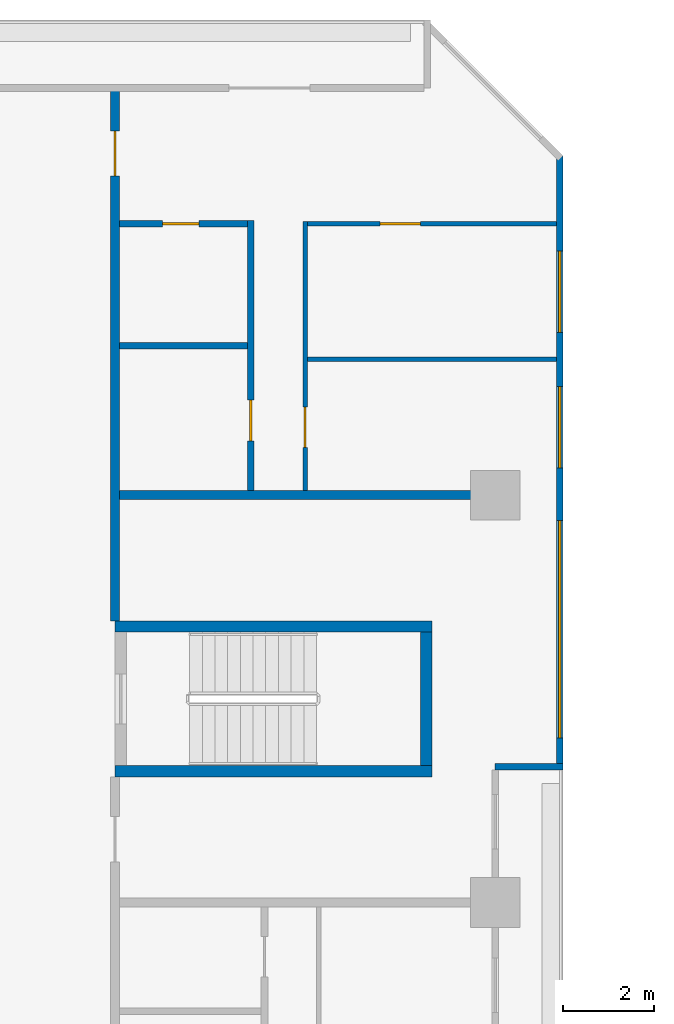
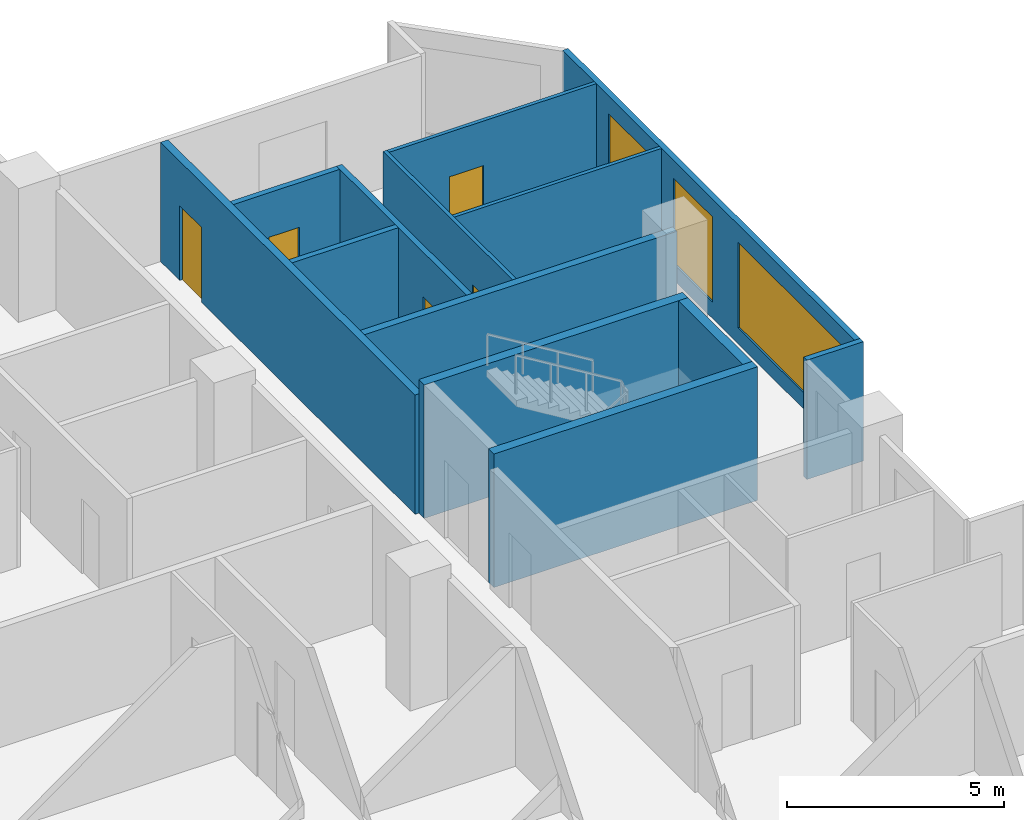
# One storey, part 11 of 16: 13 walls, 5 doors, 3 windows, 8 openings.
"""IFC4 building model written with IfcOpenShell, lengths in metres."""

from ifc_helpers import new_model, si_unit, direction, frame, frame_2d, origin, place, context, subcontext, project, spatial, rectangle, extrude, material, layer, layer_set, type_object, element, fill, save


model = new_model("IFC4")

# Units and contexts
model_context = context("Model", 3, precision=1e-05, world=origin(), true_north=direction((0.0, 1.0)))
body_context = subcontext(model_context, "Body", "Model", "MODEL_VIEW")
ifc_project = project(units=[si_unit("LENGTHUNIT", "METRE"), si_unit("AREAUNIT", "SQUARE_METRE"), si_unit("VOLUMEUNIT", "CUBIC_METRE"), si_unit("PLANEANGLEUNIT", "RADIAN"), si_unit("MASSUNIT", "GRAM", prefix="KILO")], contexts=[model_context])

# Site, building, storey
site_placement = place(None, origin())
site = spatial("IfcSite", under=ifc_project, at=site_placement, CompositionType="ELEMENT")
building_placement = place(site_placement, origin())
building = spatial("IfcBuilding", under=site, at=building_placement, Name="Chenar Terraces", CompositionType="ELEMENT")
storey_placement = place(building_placement, frame((0.0, 0.0, 75.14990234375)))
storey = spatial("IfcBuildingStorey", under=building, at=storey_placement, Name="L16", CompositionType="ELEMENT", Elevation=75.14990234375)

# Walls
ifc_material_1 = material(Name="Concrete C70/85", Category="concrete")
ifc_layer_1 = layer(ifc_material_1, 0.25)
ifc_layer_set_1 = layer_set([ifc_layer_1], Name="Concrete C70/85")
wall_type_1 = type_object("IfcWallType", Name="Core wall 250 Concrete C70/85", PredefinedType="SHEAR", material=ifc_layer_set_1)
for number, where, z_axis, x_axis, name in (
    (1, (15.60009765625, 47.89990234375, 0.0), (0.0, 0.0, 1.0), (1.0, 0.0, 0.0), "Core wall ST4_S L16"),
    (2, (15.60009765625, 51.10009765625, 0.0), (0.0, 0.0, 1.0), (1.0, 0.0, 0.0), "Core wall ST4_N L16"),
):
    element("IfcWall", number, at=place(storey_placement, frame(where, z_axis=z_axis, x_axis=x_axis)), inside=storey, type_object=wall_type_1, Name=name, PredefinedType="SHEAR", context=body_context, shape_type="SweptSolid", body=[
        extrude(rectangle(XDim=7.0, YDim=0.25, at=frame_2d((3.5, 0.0))), origin(), (0.0, 0.0, 1.0), 3.75),
    ])
wall_1_placement = place(storey_placement, frame((22.47509765625, 48.02490234375, 0.0), z_axis=(0.0, 0.0, 1.0), x_axis=(0.0, 1.0, 0.0)))
element("IfcWall", 3, at=wall_1_placement, inside=storey, type_object=wall_type_1, Name="Core wall ST4_E L16", PredefinedType="SHEAR", context=body_context, shape_type="SweptSolid", body=[
    extrude(rectangle(XDim=2.9501953125, YDim=0.25, at=frame_2d((1.47509765625, 0.0))), origin(), (0.0, 0.0, 1.0), 3.75),
])

# Wall, opening, door
ifc_material_2 = material(Name="Gypsum board on steel studs with fire boards", Category="steel")
ifc_layer_2 = layer(ifc_material_2, 0.199951171875)
ifc_layer_set_2 = layer_set([ifc_layer_2], Name="Gypsum board on steel studs with fire boards")
wall_type_2 = type_object("IfcWallType", Name="Corridor wall 200", PredefinedType="PARTITIONING", material=ifc_layer_set_2)
wall_2_placement = place(storey_placement, frame((15.60009765625, 51.22509765625, 0.0), z_axis=(0.0, 0.0, 1.0), x_axis=(0.0, 1.0, 0.0)))
wall_2 = element("IfcWall", 4, at=wall_2_placement, inside=storey, type_object=wall_type_2, Name="Partition L16-037", PredefinedType="PARTITIONING", context=body_context, shape_type="SweptSolid", body=[
    extrude(rectangle(XDim=11.700927734375, YDim=0.199951171875, at=frame_2d((5.8505859375, 0.0))), origin(), (0.0, 0.0, 1.0), 3.35009765625),
])
opening_1_placement = place(wall_2_placement, frame((9.824951171875, 0.0, 0.0)))
opening_1 = element("IfcOpeningElement", 5, at=opening_1_placement, cuts=wall_2, Name="Opening DL16-38", PredefinedType="OPENING", context=body_context, shape_type="SweptSolid", body=[
    extrude(rectangle(XDim=1.0, YDim=2.10009765625, at=frame_2d((0.5, 1.050048828125))), frame((0.0, 0.10986328125, 0.0), z_axis=(0.0, -1.0, 0.0), x_axis=(1.0, 0.0, 0.0)), (0.0, 0.0, 1.0), 0.219970703125),
])
ifc_material_3 = material(Name="Steel-framed fire-resisting door leaf", Category="steel")
door_type_1 = type_object("IfcDoorType", Name="Fire door FD30S 1000 x 2100", OperationType="SINGLE_SWING_LEFT", PredefinedType="DOOR", material=ifc_material_3)
door_1_placement = place(opening_1_placement, frame((1.0, 0.0, 0.0), z_axis=(0.0, 0.0, 1.0), x_axis=(-1.0, 0.0, 0.0)))
door_1 = element("IfcDoor", 6, at=door_1_placement, inside=storey, type_object=door_type_1, Name="Door DL16-38", OperationType="SINGLE_SWING_LEFT", OverallHeight=2.10009765625, OverallWidth=1.0, PredefinedType="DOOR", context=body_context, shape_type="SweptSolid", body=[
    extrude(rectangle(XDim=1.0, YDim=2.10009765625, at=frame_2d((0.5, 1.050048828125))), frame((0.0, 0.02490234375, 0.0), z_axis=(0.0, -1.0, 0.0), x_axis=(1.0, 0.0, 0.0)), (0.0, 0.0, 1.0), 0.050048828125),
])
fill(opening_1, door_1)

# Wall, openings, windows
ifc_material_4 = material(Name="Aluminium framed glazing", Category="aluminium")
ifc_layer_3 = layer(ifc_material_4, 0.14990234375)
ifc_layer_set_3 = layer_set([ifc_layer_3], Name="Aluminium framed glazing")
wall_type_3 = type_object("IfcWallType", Name="Glazed flush facade wall 150", PredefinedType="SOLIDWALL", material=ifc_layer_set_3)
wall_3_placement = place(storey_placement, frame((25.425048828125, 48.074951171875, 0.0), z_axis=(0.0, 0.0, 1.0), x_axis=(0.0, 1.0, 0.0)))
wall_3 = element("IfcWall", 7, at=wall_3_placement, inside=storey, type_object=wall_type_3, Name="Glazed flush facade wall", PredefinedType="SOLIDWALL", context=body_context, shape_type="SweptSolid", body=[
    extrude(rectangle(XDim=13.425048828125, YDim=0.14990234375, at=frame_2d((6.71240234375, 0.0))), origin(), (0.0, 0.0, 1.0), 3.35009765625),
])
opening_2_placement = place(wall_3_placement, frame((0.5625, 0.0, 0.449951171875)))
opening_2 = element("IfcOpeningElement", 8, at=opening_2_placement, cuts=wall_3, Name="Opening W480x240", PredefinedType="OPENING", context=body_context, shape_type="SweptSolid", body=[
    extrude(rectangle(XDim=4.800048828125, YDim=2.39990234375, at=frame_2d((2.39990234375, 1.199951171875))), frame((0.0, 0.0849609375, 0.0), z_axis=(0.0, -1.0, 0.0), x_axis=(1.0, 0.0, 0.0)), (0.0, 0.0, 1.0), 0.169921875),
])
opening_3_placement = place(wall_3_placement, frame((6.52490234375, 0.0, 0.449951171875)))
opening_3 = element("IfcOpeningElement", 9, at=opening_3_placement, cuts=wall_3, Name="Opening W180x240", PredefinedType="OPENING", context=body_context, shape_type="SweptSolid", body=[
    extrude(rectangle(XDim=1.800048828125, YDim=2.39990234375, at=frame_2d((0.89990234375, 1.199951171875))), frame((0.0, 0.0849609375, 0.0), z_axis=(0.0, -1.0, 0.0), x_axis=(1.0, 0.0, 0.0)), (0.0, 0.0, 1.0), 0.169921875),
])
opening_4_placement = place(wall_3_placement, frame((9.52490234375, 0.0, 0.449951171875)))
opening_4 = element("IfcOpeningElement", 10, at=opening_4_placement, cuts=wall_3, Name="Opening W180x240", PredefinedType="OPENING", context=body_context, shape_type="SweptSolid", body=[
    extrude(rectangle(XDim=1.800048828125, YDim=2.39990234375, at=frame_2d((0.89990234375, 1.199951171875))), frame((0.0, 0.0849609375, 0.0), z_axis=(0.0, -1.0, 0.0), x_axis=(1.0, 0.0, 0.0)), (0.0, 0.0, 1.0), 0.169921875),
])
ifc_material_5 = material(Name="Low emissivity double glazing, aluminium frame", Category="aluminium")
window_type_1 = type_object("IfcWindowType", Name="Fixed light 1800 x 2400", PartitioningType="SINGLE_PANEL", PredefinedType="WINDOW", material=ifc_material_5)
window_1_placement = place(opening_3_placement, origin())
window_1 = element("IfcWindow", 11, at=window_1_placement, inside=storey, type_object=window_type_1, Name="Window", OverallHeight=2.39990234375, OverallWidth=1.800048828125, PartitioningType="SINGLE_PANEL", PredefinedType="WINDOW", context=body_context, shape_type="SweptSolid", body=[
    extrude(rectangle(XDim=1.800048828125, YDim=2.39990234375, at=frame_2d((0.89990234375, 1.199951171875))), frame((0.0, 0.030029296875, 0.0), z_axis=(0.0, -1.0, 0.0), x_axis=(1.0, 0.0, 0.0)), (0.0, 0.0, 1.0), 0.06005859375),
])
fill(opening_3, window_1)
window_2_placement = place(opening_4_placement, origin())
window_2 = element("IfcWindow", 12, at=window_2_placement, inside=storey, type_object=window_type_1, Name="Window", OverallHeight=2.39990234375, OverallWidth=1.800048828125, PartitioningType="SINGLE_PANEL", PredefinedType="WINDOW", context=body_context, shape_type="SweptSolid", body=[
    extrude(rectangle(XDim=1.800048828125, YDim=2.39990234375, at=frame_2d((0.89990234375, 1.199951171875))), frame((0.0, 0.030029296875, 0.0), z_axis=(0.0, -1.0, 0.0), x_axis=(1.0, 0.0, 0.0)), (0.0, 0.0, 1.0), 0.06005859375),
])
fill(opening_4, window_2)
ifc_material_6 = material(Name="Low emissivity double glazing, aluminium frame", Category="aluminium")
window_type_2 = type_object("IfcWindowType", Name="Fixed light 4800 x 2400", PartitioningType="SINGLE_PANEL", PredefinedType="WINDOW", material=ifc_material_6)
window_3_placement = place(opening_2_placement, origin())
window_3 = element("IfcWindow", 13, at=window_3_placement, inside=storey, type_object=window_type_2, Name="Window", OverallHeight=2.39990234375, OverallWidth=4.800048828125, PartitioningType="SINGLE_PANEL", PredefinedType="WINDOW", context=body_context, shape_type="SweptSolid", body=[
    extrude(rectangle(XDim=4.800048828125, YDim=2.39990234375, at=frame_2d((2.39990234375, 1.199951171875))), frame((0.0, 0.030029296875, 0.0), z_axis=(0.0, -1.0, 0.0), x_axis=(1.0, 0.0, 0.0)), (0.0, 0.0, 1.0), 0.06005859375),
])
fill(opening_2, window_3)

# Wall, opening, door
ifc_material_7 = material(Name="Gypsum board on steel studs", Category="steel")
ifc_layer_4 = layer(ifc_material_7, 0.10009765625)
ifc_layer_set_4 = layer_set([ifc_layer_4], Name="Gypsum board on steel studs")
wall_type_4 = type_object("IfcWallType", Name="Gypsum partition 100", PredefinedType="PARTITIONING", material=ifc_layer_set_4)
wall_4_placement = place(storey_placement, frame((19.800048828125, 54.10009765625, 0.0), z_axis=(0.0, 0.0, 1.0), x_axis=(0.0, 1.0, 0.0)))
wall_4 = element("IfcWall", 14, at=wall_4_placement, inside=storey, type_object=wall_type_4, Name="Partition L16-049", PredefinedType="PARTITIONING", context=body_context, shape_type="SweptSolid", body=[
    extrude(rectangle(XDim=5.949951171875, YDim=0.10009765625, at=frame_2d((2.97509765625, 0.0))), origin(), (0.0, 0.0, 1.0), 3.35009765625),
])
opening_5_placement = place(wall_4_placement, frame((0.949951171875, 0.0, 0.0)))
opening_5 = element("IfcOpeningElement", 15, at=opening_5_placement, cuts=wall_4, Name="Opening DL16-35", PredefinedType="OPENING", context=body_context, shape_type="SweptSolid", body=[
    extrude(rectangle(XDim=0.89990234375, YDim=2.10009765625, at=frame_2d((0.449951171875, 1.050048828125))), frame((0.0, 0.06005859375, 0.0), z_axis=(0.0, -1.0, 0.0), x_axis=(1.0, 0.0, 0.0)), (0.0, 0.0, 1.0), 0.1201171875),
])
ifc_material_8 = material(Name="Veneered timber door leaf", Category="wood")
door_type_2 = type_object("IfcDoorType", Name="Door 900 x 2100", OperationType="SINGLE_SWING_LEFT", PredefinedType="DOOR", material=ifc_material_8)
door_2_placement = place(opening_5_placement, frame((0.89990234375, 0.0, 0.0), z_axis=(0.0, 0.0, 1.0), x_axis=(-1.0, 0.0, 0.0)))
door_2 = element("IfcDoor", 16, at=door_2_placement, inside=storey, type_object=door_type_2, Name="Door DL16-35", OperationType="SINGLE_SWING_LEFT", OverallHeight=2.10009765625, OverallWidth=0.89990234375, PredefinedType="DOOR", context=body_context, shape_type="SweptSolid", body=[
    extrude(rectangle(XDim=0.89990234375, YDim=2.10009765625, at=frame_2d((0.449951171875, 1.050048828125))), frame((0.0, 0.02490234375, 0.0), z_axis=(0.0, -1.0, 0.0), x_axis=(1.0, 0.0, 0.0)), (0.0, 0.0, 1.0), 0.050048828125),
])
fill(opening_5, door_2)

# Wall
wall_5_placement = place(storey_placement, frame((19.85009765625, 57.0, 0.0), z_axis=(0.0, 0.0, 1.0), x_axis=(1.0, 0.0, 0.0)))
element("IfcWall", 17, at=wall_5_placement, inside=storey, type_object=wall_type_4, Name="Partition L16-050", PredefinedType="PARTITIONING", context=body_context, shape_type="SweptSolid", body=[
    extrude(rectangle(XDim=5.5009765625, YDim=0.10009765625, at=frame_2d((2.75048828125, 0.0))), origin(), (0.0, 0.0, 1.0), 3.35009765625),
])

# Wall, opening, door
wall_6_placement = place(storey_placement, frame((19.85009765625, 60.0, 0.0), z_axis=(0.0, 0.0, 1.0), x_axis=(1.0, 0.0, 0.0)))
wall_6 = element("IfcWall", 18, at=wall_6_placement, inside=storey, type_object=wall_type_4, Name="Partition L16-051", PredefinedType="PARTITIONING", context=body_context, shape_type="SweptSolid", body=[
    extrude(rectangle(XDim=5.5, YDim=0.10009765625, at=frame_2d((2.75, 0.0))), origin(), (0.0, 0.0, 1.0), 3.35009765625),
])
opening_6_placement = place(wall_6_placement, frame((1.60009765625, 0.0, 0.0)))
opening_6 = element("IfcOpeningElement", 19, at=opening_6_placement, cuts=wall_6, Name="Opening DL16-36", PredefinedType="OPENING", context=body_context, shape_type="SweptSolid", body=[
    extrude(rectangle(XDim=0.89990234375, YDim=2.10009765625, at=frame_2d((0.449951171875, 1.050048828125))), frame((0.0, 0.06005859375, 0.0), z_axis=(0.0, -1.0, 0.0), x_axis=(1.0, 0.0, 0.0)), (0.0, 0.0, 1.0), 0.1201171875),
])
door_3_placement = place(opening_6_placement, frame((0.89990234375, 0.0, 0.0), z_axis=(0.0, 0.0, 1.0), x_axis=(-1.0, 0.0, 0.0)))
door_3 = element("IfcDoor", 20, at=door_3_placement, inside=storey, type_object=door_type_2, Name="Door DL16-36", OperationType="SINGLE_SWING_LEFT", OverallHeight=2.10009765625, OverallWidth=0.89990234375, PredefinedType="DOOR", context=body_context, shape_type="SweptSolid", body=[
    extrude(rectangle(XDim=0.89990234375, YDim=2.10009765625, at=frame_2d((0.449951171875, 1.050048828125))), frame((0.0, 0.02490234375, 0.0), z_axis=(0.0, -1.0, 0.0), x_axis=(1.0, 0.0, 0.0)), (0.0, 0.0, 1.0), 0.050048828125),
])
fill(opening_6, door_3)

# Walls
ifc_material_9 = material(Name="Terracotta cladding on insulated backing", Category="masonry")
ifc_layer_5 = layer(ifc_material_9, 0.14990234375)
ifc_layer_set_5 = layer_set([ifc_layer_5], Name="Terracotta cladding on insulated backing")
wall_type_5 = type_object("IfcWallType", Name="Loggia return wall 150", PredefinedType="SOLIDWALL", material=ifc_layer_set_5)
wall_7_placement = place(storey_placement, frame((25.5, 48.0, 0.0), z_axis=(0.0, 0.0, 1.0), x_axis=(-1.0, 0.0, 0.0)))
element("IfcWall", 21, at=wall_7_placement, inside=storey, type_object=wall_type_5, Name="Loggia return wall", PredefinedType="SOLIDWALL", context=body_context, shape_type="SweptSolid", body=[
    extrude(rectangle(XDim=1.5, YDim=0.14990234375, at=frame_2d((0.75, 0.0))), origin(), (0.0, 0.0, 1.0), 3.35009765625),
])
ifc_material_10 = material(Name="Twin gypsum board on steel studs with mineral wool", Category="steel")
ifc_layer_6 = layer(ifc_material_10, 0.199951171875)
ifc_layer_set_6 = layer_set([ifc_layer_6], Name="Twin gypsum board on steel studs with mineral wool")
wall_type_6 = type_object("IfcWallType", Name="Unit demising wall 200", PredefinedType="PARTITIONING", material=ifc_layer_set_6)
wall_8_placement = place(storey_placement, frame((15.699951171875, 54.0, 0.0), z_axis=(0.0, 0.0, 1.0), x_axis=(1.0, 0.0, 0.0)))
element("IfcWall", 22, at=wall_8_placement, inside=storey, type_object=wall_type_6, Name="Partition L16-044", PredefinedType="PARTITIONING", context=body_context, shape_type="SweptSolid", body=[
    extrude(rectangle(XDim=8.300048828125, YDim=0.199951171875, at=frame_2d((4.14990234375, 0.0))), origin(), (0.0, 0.0, 1.0), 3.35009765625),
])
ifc_material_11 = material(Name="Moisture-resistant gypsum board on steel studs", Category="steel")
ifc_layer_7 = layer(ifc_material_11, 0.14990234375)
ifc_layer_set_7 = layer_set([ifc_layer_7], Name="Moisture-resistant gypsum board on steel studs")
wall_type_7 = type_object("IfcWallType", Name="Wet-room partition 150", PredefinedType="PARTITIONING", material=ifc_layer_set_7)
wall_9_placement = place(storey_placement, frame((15.699951171875, 57.300048828125, 0.0), z_axis=(0.0, 0.0, 1.0), x_axis=(1.0, 0.0, 0.0)))
element("IfcWall", 23, at=wall_9_placement, inside=storey, type_object=wall_type_7, Name="Partition L16-045", PredefinedType="PARTITIONING", context=body_context, shape_type="SweptSolid", body=[
    extrude(rectangle(XDim=2.824951171875, YDim=0.14990234375, at=frame_2d((1.41259765625, 0.0))), origin(), (0.0, 0.0, 1.0), 3.35009765625),
])

# Wall, opening, door
wall_10_placement = place(storey_placement, frame((15.699951171875, 60.0, 0.0), z_axis=(0.0, 0.0, 1.0), x_axis=(1.0, 0.0, 0.0)))
wall_10 = element("IfcWall", 24, at=wall_10_placement, inside=storey, type_object=wall_type_7, Name="Partition L16-046", PredefinedType="PARTITIONING", context=body_context, shape_type="SweptSolid", body=[
    extrude(rectangle(XDim=2.824951171875, YDim=0.14990234375, at=frame_2d((1.41259765625, 0.0))), origin(), (0.0, 0.0, 1.0), 3.35009765625),
])
opening_7_placement = place(wall_10_placement, frame((0.949951171875, 0.0, 0.0)))
opening_7 = element("IfcOpeningElement", 25, at=opening_7_placement, cuts=wall_10, Name="Opening DL16-34", PredefinedType="OPENING", context=body_context, shape_type="SweptSolid", body=[
    extrude(rectangle(XDim=0.800048828125, YDim=2.10009765625, at=frame_2d((0.39990234375, 1.050048828125))), frame((0.0, 0.0849609375, 0.0), z_axis=(0.0, -1.0, 0.0), x_axis=(1.0, 0.0, 0.0)), (0.0, 0.0, 1.0), 0.169921875),
])
ifc_material_12 = material(Name="Veneered timber door leaf", Category="wood")
door_type_3 = type_object("IfcDoorType", Name="Door 800 x 2100", OperationType="SINGLE_SWING_LEFT", PredefinedType="DOOR", material=ifc_material_12)
door_4_placement = place(opening_7_placement, frame((0.800048828125, 0.0, 0.0), z_axis=(0.0, 0.0, 1.0), x_axis=(-1.0, 0.0, 0.0)))
door_4 = element("IfcDoor", 26, at=door_4_placement, inside=storey, type_object=door_type_3, Name="Door DL16-34", OperationType="SINGLE_SWING_RIGHT", OverallHeight=2.10009765625, OverallWidth=0.800048828125, PredefinedType="DOOR", context=body_context, shape_type="SweptSolid", body=[
    extrude(rectangle(XDim=0.800048828125, YDim=2.10009765625, at=frame_2d((0.39990234375, 1.050048828125))), frame((0.0, 0.02490234375, 0.0), z_axis=(0.0, -1.0, 0.0), x_axis=(1.0, 0.0, 0.0)), (0.0, 0.0, 1.0), 0.050048828125),
])
fill(opening_7, door_4)

wall_11_placement = place(storey_placement, frame((18.60009765625, 54.10009765625, 0.0), z_axis=(0.0, 0.0, 1.0), x_axis=(0.0, 1.0, 0.0)))
wall_11 = element("IfcWall", 27, at=wall_11_placement, inside=storey, type_object=wall_type_7, Name="Partition L16-047", PredefinedType="PARTITIONING", context=body_context, shape_type="SweptSolid", body=[
    extrude(rectangle(XDim=5.974853515625, YDim=0.14990234375, at=frame_2d((2.9873046875, 0.0))), origin(), (0.0, 0.0, 1.0), 3.35009765625),
])
opening_8_placement = place(wall_11_placement, frame((1.10009765625, 0.0, 0.0)))
opening_8 = element("IfcOpeningElement", 28, at=opening_8_placement, cuts=wall_11, Name="Opening DL16-37", PredefinedType="OPENING", context=body_context, shape_type="SweptSolid", body=[
    extrude(rectangle(XDim=0.89990234375, YDim=2.10009765625, at=frame_2d((0.449951171875, 1.050048828125))), frame((0.0, 0.0849609375, 0.0), z_axis=(0.0, -1.0, 0.0), x_axis=(1.0, 0.0, 0.0)), (0.0, 0.0, 1.0), 0.169921875),
])
door_5_placement = place(opening_8_placement, origin())
door_5 = element("IfcDoor", 29, at=door_5_placement, inside=storey, type_object=door_type_2, Name="Door DL16-37", OperationType="SINGLE_SWING_LEFT", OverallHeight=2.10009765625, OverallWidth=0.89990234375, PredefinedType="DOOR", context=body_context, shape_type="SweptSolid", body=[
    extrude(rectangle(XDim=0.89990234375, YDim=2.10009765625, at=frame_2d((0.449951171875, 1.050048828125))), frame((0.0, 0.02490234375, 0.0), z_axis=(0.0, -1.0, 0.0), x_axis=(1.0, 0.0, 0.0)), (0.0, 0.0, 1.0), 0.050048828125),
])
fill(opening_8, door_5)

save(model, "model.ifc")
